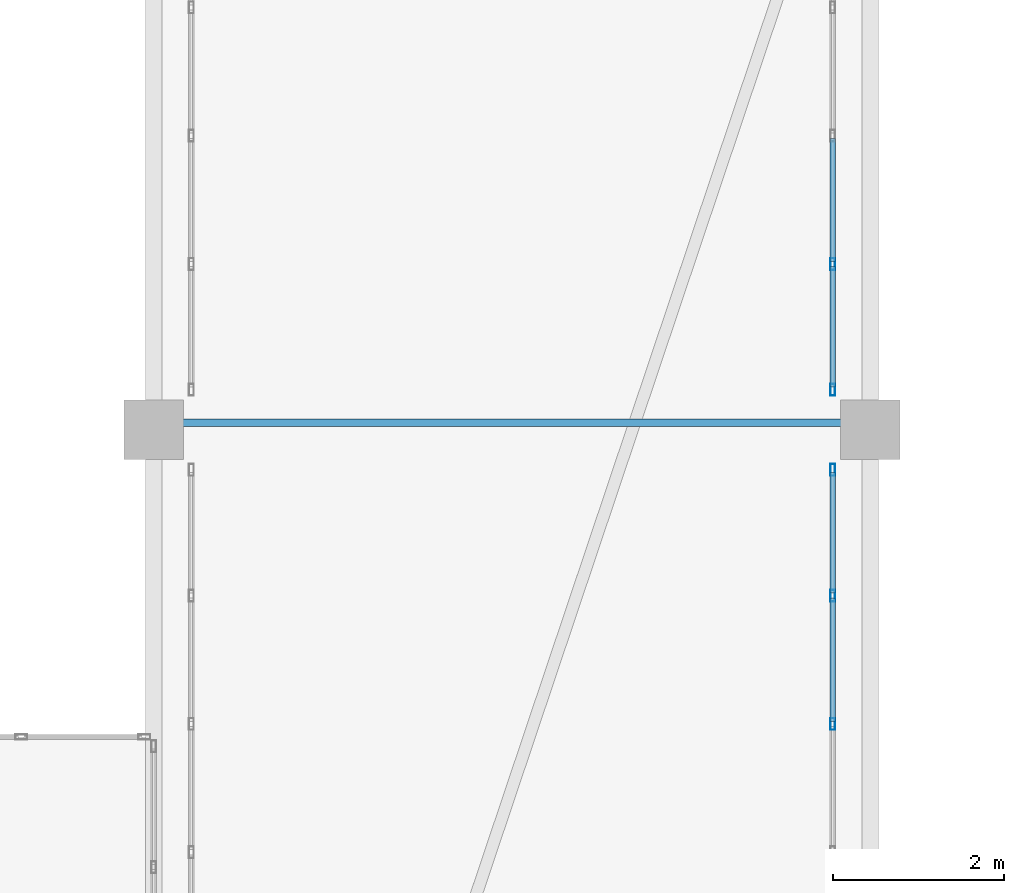
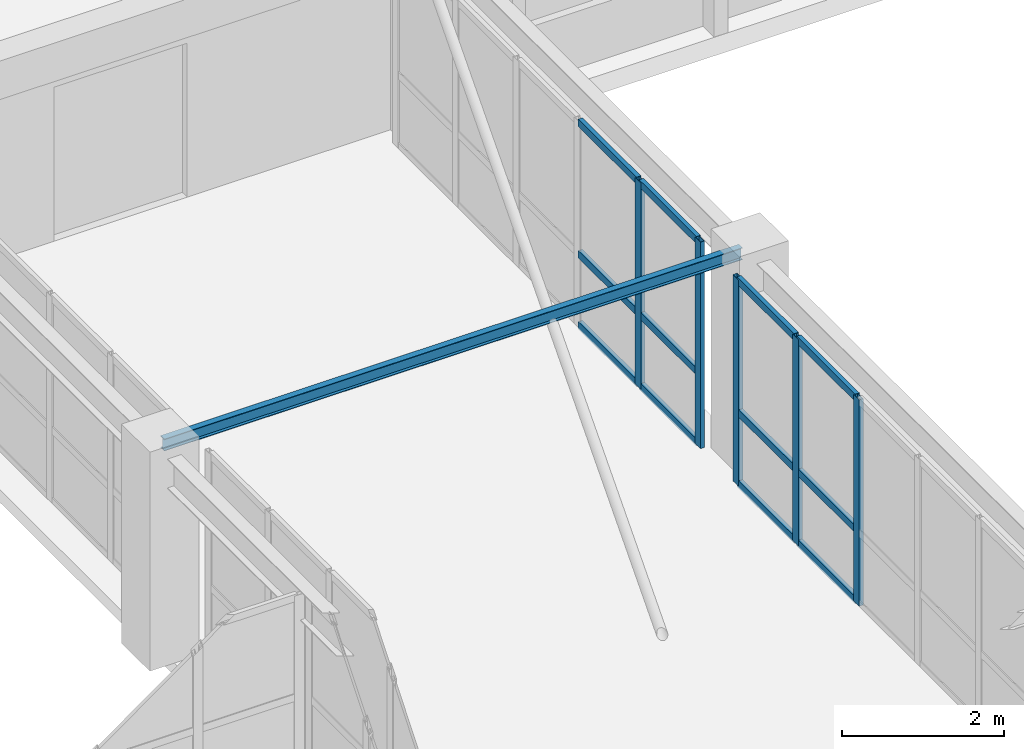
# One storey, part 71 of 148: 17 members, 1 beam, 2 elements without a shape of their own.
"""IFC4 building model written with IfcOpenShell, lengths in metres."""

from ifc_helpers import new_model, si_unit, direction, frame, origin, origin_2d, place, context, subcontext, project, spatial, hollow_rectangle, i_section, extrude, material, layer, layer_set, material_profile, profile_set, type_object, element, aggregate, save


model = new_model("IFC4")

# Units and contexts
model_context = context("Model", 3, precision=1e-05, world=origin(), true_north=direction((0.0, 1.0)))
body_context = subcontext(model_context, "Body", "Model", "MODEL_VIEW")
ifc_project = project(units=[si_unit("LENGTHUNIT", "METRE"), si_unit("AREAUNIT", "SQUARE_METRE"), si_unit("VOLUMEUNIT", "CUBIC_METRE"), si_unit("PLANEANGLEUNIT", "RADIAN"), si_unit("MASSUNIT", "GRAM", prefix="KILO")], contexts=[model_context])

# Site, building, storey
site_placement = place(None, origin())
site = spatial("IfcSite", under=ifc_project, at=site_placement, CompositionType="ELEMENT")
building_placement = place(site_placement, origin())
building = spatial("IfcBuilding", under=site, at=building_placement, Name="Trelvath General Hospital", CompositionType="ELEMENT")
storey_placement = place(building_placement, frame((0.0, 0.0, 12.89990234375)))
storey = spatial("IfcBuildingStorey", under=building, at=storey_placement, Name="L03", CompositionType="ELEMENT", Elevation=12.89990234375)

# Beam
ifc_material_1 = material(Name="Steel S355", Category="steel")
ifc_material_profile_1 = material_profile(ifc_material_1, i_section(OverallWidth=0.091064453125, OverallDepth=0.179931640625, WebThickness=0.00537109375, FlangeThickness=0.008056640625, at=origin_2d()), Name="IPE180")
ifc_profile_set_1 = profile_set([ifc_material_profile_1], Name="Steel S355")
beam_type = type_object("IfcBeamType", Name="BridgeJoist IPE180", PredefinedType="JOIST", material=ifc_profile_set_1)
beam_placement = place(storey_placement, frame((75.679931640625, 84.083984375, 3.02001953125), z_axis=(1.0, 0.0, 0.0), x_axis=(0.0, 1.0, 0.0)))
element("IfcBeam", 1, at=beam_placement, inside=storey, type_object=beam_type, Name="Bridge Cross Joist BRG-N-C L04", PredefinedType="JOIST", context=body_context, shape_type="SweptSolid", body=[
    extrude(i_section(OverallWidth=0.091064453125, OverallDepth=0.179931640625, WebThickness=0.00537109375, FlangeThickness=0.008056640625, at=origin_2d()), origin(), (0.0, 0.0, 1.0), 8.239990234375),
])

# Curtain wall, members
ifc_material_2 = material(Name="Anodised aluminium and low-E glass", Category="aluminium")
ifc_layer = layer(ifc_material_2, 0.139892578125)
ifc_layer_set = layer_set([ifc_layer], Name="Anodised aluminium and low-E glass")
curtain_wall_type = type_object("IfcCurtainWallType", Name="CW Bridge 752 311", PredefinedType="USERDEFINED", material=ifc_layer_set)
curtain_wall_1_placement = place(storey_placement, origin())
curtain_wall_1 = element("IfcCurtainWall", 2, at=curtain_wall_1_placement, inside=storey, type_object=curtain_wall_type, Name="Glazed Bridge Curtain Wall BRG-N-C E L03", ObjectType="Unitised Glazed Curtain Wall", PredefinedType="USERDEFINED")
ifc_material_3 = material(Name="Anodised aluminium", Category="aluminium")
ifc_material_profile_2 = material_profile(ifc_material_3, hollow_rectangle(XDim=0.06005859375, YDim=0.139892578125, WallThickness=0.00390625, at=origin_2d()), Name="RHS60x140x4")
ifc_profile_set_2 = profile_set([ifc_material_profile_2], Name="Anodised aluminium")
member_type_1 = type_object("IfcMemberType", Name="CurtainMullion 60x140", PredefinedType="MULLION", material=ifc_profile_set_2)
member_1_placement = place(storey_placement, frame((83.56005859375, 83.530029296875, 0.0), z_axis=(0.0, 0.0, 1.0), x_axis=(1.0, 0.0, 0.0)))
member_1 = element("IfcMember", 3, at=member_1_placement, type_object=member_type_1, Name="CW-261 mullion 1", PredefinedType="MULLION", context=body_context, shape_type="SweptSolid", body=[
    extrude(hollow_rectangle(XDim=0.06005859375, YDim=0.139892578125, WallThickness=0.00390625, at=origin_2d()), origin(), (0.0, 0.0, 1.0), 3.110107421875),
])
member_2_placement = place(storey_placement, frame((83.56005859375, 82.055908203125, 0.0), z_axis=(0.0, 0.0, 1.0), x_axis=(1.0, 0.0, 0.0)))
member_2 = element("IfcMember", 4, at=member_2_placement, type_object=member_type_1, Name="CW-261 mullion 2", PredefinedType="MULLION", context=body_context, shape_type="SweptSolid", body=[
    extrude(hollow_rectangle(XDim=0.06005859375, YDim=0.139892578125, WallThickness=0.00390625, at=origin_2d()), origin(), (0.0, 0.0, 1.0), 3.110107421875),
])
member_3_placement = place(storey_placement, frame((83.56005859375, 80.552001953125, 0.0), z_axis=(0.0, 0.0, 1.0), x_axis=(1.0, 0.0, 0.0)))
member_3 = element("IfcMember", 5, at=member_3_placement, type_object=member_type_1, Name="CW-261 mullion 3", PredefinedType="MULLION", context=body_context, shape_type="SweptSolid", body=[
    extrude(hollow_rectangle(XDim=0.06005859375, YDim=0.139892578125, WallThickness=0.00390625, at=origin_2d()), origin(), (0.0, 0.0, 1.0), 3.110107421875),
])

curtain_wall_2_placement = place(storey_placement, origin())
curtain_wall_2 = element("IfcCurtainWall", 6, at=curtain_wall_2_placement, inside=storey, type_object=curtain_wall_type, Name="Glazed Bridge Curtain Wall BRG-N-C E L03", ObjectType="Unitised Glazed Curtain Wall", PredefinedType="USERDEFINED")
member_4_placement = place(storey_placement, frame((83.56005859375, 85.944091796875, 0.0), z_axis=(0.0, 0.0, 1.0), x_axis=(1.0, 0.0, 0.0)))
member_4 = element("IfcMember", 7, at=member_4_placement, type_object=member_type_1, Name="CW-263 mullion 5", PredefinedType="MULLION", context=body_context, shape_type="SweptSolid", body=[
    extrude(hollow_rectangle(XDim=0.06005859375, YDim=0.139892578125, WallThickness=0.00390625, at=origin_2d()), origin(), (0.0, 0.0, 1.0), 3.110107421875),
])
member_5_placement = place(storey_placement, frame((83.56005859375, 84.469970703125, 0.0), z_axis=(0.0, 0.0, 1.0), x_axis=(1.0, 0.0, 0.0)))
member_5 = element("IfcMember", 8, at=member_5_placement, type_object=member_type_1, Name="CW-263 mullion 6", PredefinedType="MULLION", context=body_context, shape_type="SweptSolid", body=[
    extrude(hollow_rectangle(XDim=0.06005859375, YDim=0.139892578125, WallThickness=0.00390625, at=origin_2d()), origin(), (0.0, 0.0, 1.0), 3.110107421875),
])

# Member
ifc_material_4 = material(Name="Anodised aluminium", Category="aluminium")
ifc_material_profile_3 = material_profile(ifc_material_4, hollow_rectangle(XDim=0.06005859375, YDim=0.110107421875, WallThickness=0.00390625, at=origin_2d()), Name="RHS60x110x4")
ifc_profile_set_3 = profile_set([ifc_material_profile_3], Name="Anodised aluminium")
member_type_2 = type_object("IfcMemberType", Name="CurtainTransom 60x110", PredefinedType="USERDEFINED", material=ifc_profile_set_3)
member_6_placement = place(storey_placement, frame((83.56005859375, 83.5, 0.030029296875), z_axis=(0.0, -1.0, 0.0), x_axis=(1.0, 0.0, 0.0)))
member_6 = element("IfcMember", 9, at=member_6_placement, type_object=member_type_2, Name="CW-261 transom 1.1", ObjectType="TRANSOM", PredefinedType="USERDEFINED", context=body_context, shape_type="SweptSolid", body=[
    extrude(hollow_rectangle(XDim=0.06005859375, YDim=0.110107421875, WallThickness=0.00390625, at=origin_2d()), origin(), (0.0, 0.0, 1.0), 1.4140625),
])

member_7_placement = place(storey_placement, frame((83.56005859375, 83.5, 1.10009765625), z_axis=(0.0, -1.0, 0.0), x_axis=(1.0, 0.0, 0.0)))
member_7 = element("IfcMember", 10, at=member_7_placement, type_object=member_type_2, Name="CW-261 transom 1.2", ObjectType="TRANSOM", PredefinedType="USERDEFINED", context=body_context, shape_type="SweptSolid", body=[
    extrude(hollow_rectangle(XDim=0.06005859375, YDim=0.110107421875, WallThickness=0.00390625, at=origin_2d()), origin(), (0.0, 0.0, 1.0), 1.4140625),
])

member_8_placement = place(storey_placement, frame((83.56005859375, 83.5, 3.080078125), z_axis=(0.0, -1.0, 0.0), x_axis=(1.0, 0.0, 0.0)))
member_8 = element("IfcMember", 11, at=member_8_placement, type_object=member_type_2, Name="CW-261 transom 1.3", ObjectType="TRANSOM", PredefinedType="USERDEFINED", context=body_context, shape_type="SweptSolid", body=[
    extrude(hollow_rectangle(XDim=0.06005859375, YDim=0.110107421875, WallThickness=0.00390625, at=origin_2d()), origin(), (0.0, 0.0, 1.0), 1.4140625),
])

member_9_placement = place(storey_placement, frame((83.56005859375, 82.02587890625, 0.030029296875), z_axis=(0.0, -1.0, 0.0), x_axis=(1.0, 0.0, 0.0)))
member_9 = element("IfcMember", 12, at=member_9_placement, type_object=member_type_2, Name="CW-261 transom 2.1", ObjectType="TRANSOM", PredefinedType="USERDEFINED", context=body_context, shape_type="SweptSolid", body=[
    extrude(hollow_rectangle(XDim=0.06005859375, YDim=0.110107421875, WallThickness=0.00390625, at=origin_2d()), origin(), (0.0, 0.0, 1.0), 1.44384765625),
])

member_10_placement = place(storey_placement, frame((83.56005859375, 82.02587890625, 1.10009765625), z_axis=(0.0, -1.0, 0.0), x_axis=(1.0, 0.0, 0.0)))
member_10 = element("IfcMember", 13, at=member_10_placement, type_object=member_type_2, Name="CW-261 transom 2.2", ObjectType="TRANSOM", PredefinedType="USERDEFINED", context=body_context, shape_type="SweptSolid", body=[
    extrude(hollow_rectangle(XDim=0.06005859375, YDim=0.110107421875, WallThickness=0.00390625, at=origin_2d()), origin(), (0.0, 0.0, 1.0), 1.44384765625),
])

member_11_placement = place(storey_placement, frame((83.56005859375, 82.02587890625, 3.080078125), z_axis=(0.0, -1.0, 0.0), x_axis=(1.0, 0.0, 0.0)))
member_11 = element("IfcMember", 14, at=member_11_placement, type_object=member_type_2, Name="CW-261 transom 2.3", ObjectType="TRANSOM", PredefinedType="USERDEFINED", context=body_context, shape_type="SweptSolid", body=[
    extrude(hollow_rectangle(XDim=0.06005859375, YDim=0.110107421875, WallThickness=0.00390625, at=origin_2d()), origin(), (0.0, 0.0, 1.0), 1.44384765625),
])

aggregate(curtain_wall_1, [member_1, member_2, member_3, member_6, member_7, member_8, member_9, member_10, member_11])

member_12_placement = place(storey_placement, frame((83.56005859375, 87.41796875, 0.030029296875), z_axis=(0.0, -1.0, 0.0), x_axis=(1.0, 0.0, 0.0)))
member_12 = element("IfcMember", 15, at=member_12_placement, type_object=member_type_2, Name="CW-263 transom 4.1", ObjectType="TRANSOM", PredefinedType="USERDEFINED", context=body_context, shape_type="SweptSolid", body=[
    extrude(hollow_rectangle(XDim=0.06005859375, YDim=0.110107421875, WallThickness=0.00390625, at=origin_2d()), origin(), (0.0, 0.0, 1.0), 1.44384765625),
])

member_13_placement = place(storey_placement, frame((83.56005859375, 87.41796875, 1.10009765625), z_axis=(0.0, -1.0, 0.0), x_axis=(1.0, 0.0, 0.0)))
member_13 = element("IfcMember", 16, at=member_13_placement, type_object=member_type_2, Name="CW-263 transom 4.2", ObjectType="TRANSOM", PredefinedType="USERDEFINED", context=body_context, shape_type="SweptSolid", body=[
    extrude(hollow_rectangle(XDim=0.06005859375, YDim=0.110107421875, WallThickness=0.00390625, at=origin_2d()), origin(), (0.0, 0.0, 1.0), 1.44384765625),
])

member_14_placement = place(storey_placement, frame((83.56005859375, 87.41796875, 3.080078125), z_axis=(0.0, -1.0, 0.0), x_axis=(1.0, 0.0, 0.0)))
member_14 = element("IfcMember", 17, at=member_14_placement, type_object=member_type_2, Name="CW-263 transom 4.3", ObjectType="TRANSOM", PredefinedType="USERDEFINED", context=body_context, shape_type="SweptSolid", body=[
    extrude(hollow_rectangle(XDim=0.06005859375, YDim=0.110107421875, WallThickness=0.00390625, at=origin_2d()), origin(), (0.0, 0.0, 1.0), 1.44384765625),
])

member_15_placement = place(storey_placement, frame((83.56005859375, 85.9140625, 0.030029296875), z_axis=(0.0, -1.0, 0.0), x_axis=(1.0, 0.0, 0.0)))
member_15 = element("IfcMember", 18, at=member_15_placement, type_object=member_type_2, Name="CW-263 transom 5.1", ObjectType="TRANSOM", PredefinedType="USERDEFINED", context=body_context, shape_type="SweptSolid", body=[
    extrude(hollow_rectangle(XDim=0.06005859375, YDim=0.110107421875, WallThickness=0.00390625, at=origin_2d()), origin(), (0.0, 0.0, 1.0), 1.4140625),
])

member_16_placement = place(storey_placement, frame((83.56005859375, 85.9140625, 1.10009765625), z_axis=(0.0, -1.0, 0.0), x_axis=(1.0, 0.0, 0.0)))
member_16 = element("IfcMember", 19, at=member_16_placement, type_object=member_type_2, Name="CW-263 transom 5.2", ObjectType="TRANSOM", PredefinedType="USERDEFINED", context=body_context, shape_type="SweptSolid", body=[
    extrude(hollow_rectangle(XDim=0.06005859375, YDim=0.110107421875, WallThickness=0.00390625, at=origin_2d()), origin(), (0.0, 0.0, 1.0), 1.4140625),
])

member_17_placement = place(storey_placement, frame((83.56005859375, 85.9140625, 3.080078125), z_axis=(0.0, -1.0, 0.0), x_axis=(1.0, 0.0, 0.0)))
member_17 = element("IfcMember", 20, at=member_17_placement, type_object=member_type_2, Name="CW-263 transom 5.3", ObjectType="TRANSOM", PredefinedType="USERDEFINED", context=body_context, shape_type="SweptSolid", body=[
    extrude(hollow_rectangle(XDim=0.06005859375, YDim=0.110107421875, WallThickness=0.00390625, at=origin_2d()), origin(), (0.0, 0.0, 1.0), 1.4140625),
])

aggregate(curtain_wall_2, [member_4, member_5, member_12, member_13, member_14, member_15, member_16, member_17])

save(model, "model.ifc")
